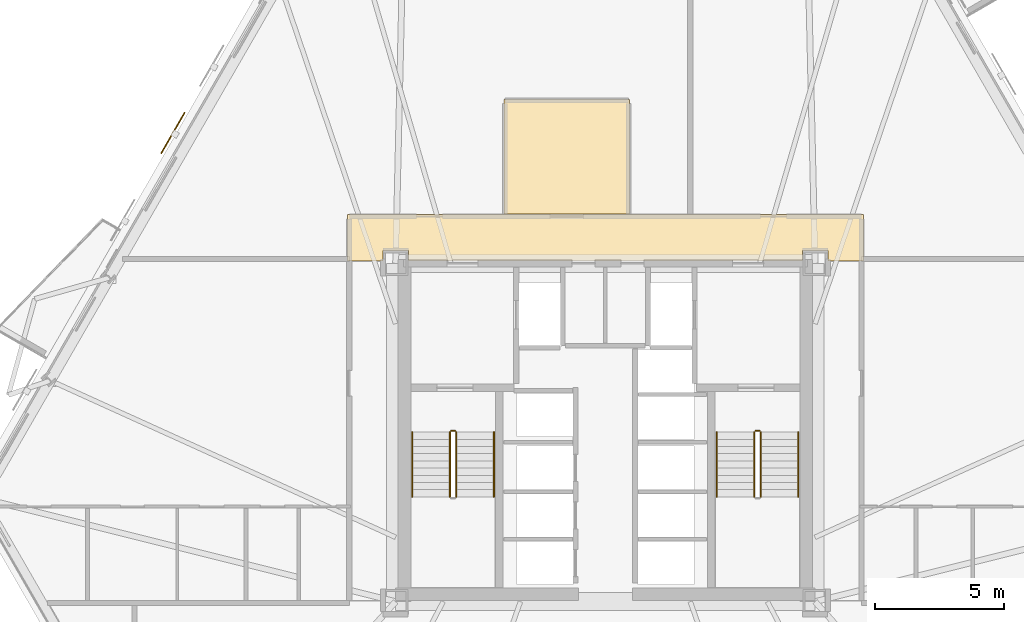
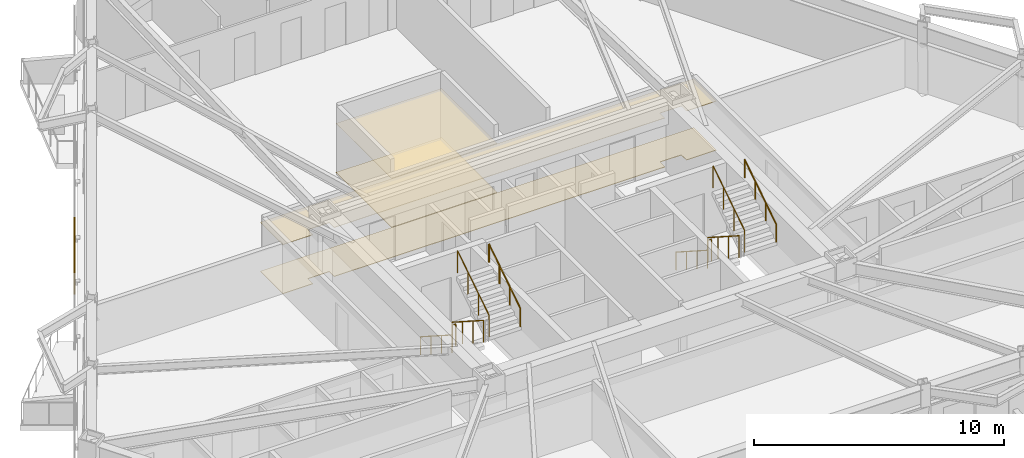
# One storey, part 11 of 12: 10 railings, 4 coverings, 1 shading device.
"""IFC4 building model written with IfcOpenShell, lengths in metres."""

from ifc_helpers import new_model, si_unit, direction, frame, origin, origin_2d, place, context, subcontext, project, spatial, polyline, rectangle, circle, outline, extrude, material, layer, layer_set, type_object, element, save


model = new_model("IFC4")

# Units and contexts
model_context = context("Model", 3, precision=1e-05, world=origin(), true_north=direction((0.0, 1.0)))
body_context = subcontext(model_context, "Body", "Model", "MODEL_VIEW")
ifc_project = project(units=[si_unit("LENGTHUNIT", "METRE"), si_unit("AREAUNIT", "SQUARE_METRE"), si_unit("VOLUMEUNIT", "CUBIC_METRE"), si_unit("PLANEANGLEUNIT", "RADIAN"), si_unit("MASSUNIT", "GRAM", prefix="KILO")], contexts=[model_context])

# Site, building, storey
site_placement = place(None, origin())
site = spatial("IfcSite", under=ifc_project, at=site_placement, CompositionType="ELEMENT")
building_placement = place(site_placement, origin())
building = spatial("IfcBuilding", under=site, at=building_placement, Name="Oramaril Tower", CompositionType="ELEMENT")
storey_placement = place(building_placement, frame((0.0, 0.0, 34.5)))
storey = spatial("IfcBuildingStorey", under=building, at=storey_placement, Name="L08", CompositionType="ELEMENT", Elevation=34.5)

# Coverings
ifc_material_1 = material(Name="Mineral Fibre Acoustic Ceiling")
ifc_layer_1 = layer(ifc_material_1, 0.02001953125)
ifc_layer_set_1 = layer_set([ifc_layer_1], Name="CVT-CEIL")
covering_type_1 = type_object("IfcCoveringType", Name="CVT-CEIL", PredefinedType="CEILING", material=ifc_layer_set_1)
covering_1_placement = place(storey_placement, frame((0.0, 0.0, 2.39990234375)))
element("IfcCovering", 1, at=covering_1_placement, inside=storey, type_object=covering_type_1, Name="L08 Acoustic Suspended Ceiling 2", PredefinedType="CEILING", context=body_context, shape_type="SweptSolid", body=[
    extrude(outline(polyline([(47.530029296875, 24.239990234375), (46.14501953125, 24.239990234375), (46.14501953125, 24.64501953125), (45.155029296875, 24.64501953125), (45.155029296875, 24.25), (29.844970703125, 24.25), (29.844970703125, 24.64501953125), (28.85498046875, 24.64501953125), (28.85498046875, 24.239990234375), (27.469970703125, 24.239990234375), (27.469970703125, 26.050048828125), (47.530029296875, 26.050048828125), (47.530029296875, 24.239990234375)])), origin(), (0.0, 0.0, 1.0), 0.02001953125),
])
covering_2_placement = place(storey_placement, frame((0.0, 0.0, 2.39990234375)))
element("IfcCovering", 2, at=covering_2_placement, inside=storey, type_object=covering_type_1, Name="L08 Acoustic Suspended Ceiling 5", PredefinedType="CEILING", context=body_context, shape_type="SweptSolid", body=[
    extrude(outline(polyline([(38.44189453125, 30.511962890625), (38.44189453125, 26.070068359375), (33.55810546875, 26.070068359375), (33.55810546875, 30.511962890625), (38.44189453125, 30.511962890625)])), origin(), (0.0, 0.0, 1.0), 0.02001953125),
])
ifc_material_2 = material(Name="Honed Quartzite Stone Flooring", Category="masonry")
ifc_layer_2 = layer(ifc_material_2, 0.02490234375)
ifc_layer_set_2 = layer_set([ifc_layer_2], Name="CVT-FLR")
covering_type_2 = type_object("IfcCoveringType", Name="CVT-FLR", PredefinedType="FLOORING", material=ifc_layer_set_2)
covering_3_placement = place(storey_placement, origin())
element("IfcCovering", 3, at=covering_3_placement, inside=storey, type_object=covering_type_2, Name="L08 Honed Stone Floor Finish 2", PredefinedType="FLOORING", context=body_context, shape_type="SweptSolid", body=[
    extrude(outline(polyline([(47.530029296875, 24.239990234375), (46.14501953125, 24.239990234375), (46.14501953125, 24.64501953125), (45.155029296875, 24.64501953125), (45.155029296875, 24.25), (29.844970703125, 24.25), (29.844970703125, 24.64501953125), (28.85498046875, 24.64501953125), (28.85498046875, 24.239990234375), (27.469970703125, 24.239990234375), (27.469970703125, 26.050048828125), (47.530029296875, 26.050048828125), (47.530029296875, 24.239990234375)])), origin(), (0.0, 0.0, 1.0), 0.02490234375),
])
covering_4_placement = place(storey_placement, origin())
element("IfcCovering", 4, at=covering_4_placement, inside=storey, type_object=covering_type_2, Name="L08 Honed Stone Floor Finish 5", PredefinedType="FLOORING", context=body_context, shape_type="SweptSolid", body=[
    extrude(outline(polyline([(38.44189453125, 30.511962890625), (38.44189453125, 26.070068359375), (33.55810546875, 26.070068359375), (33.55810546875, 30.511962890625), (38.44189453125, 30.511962890625)])), origin(), (0.0, 0.0, 1.0), 0.02490234375),
])

# Railings
ifc_material_3 = material(Name="Stainless Steel 316L", Category="steel")
railing_type_1 = type_object("IfcRailingType", Name="RLT-GRD", PredefinedType="GUARDRAIL", material=ifc_material_3)
railing_1_placement = place(storey_placement, frame((31.4599609375, 17.590087890625, 0.179931640625)))
element("IfcRailing", 5, at=railing_1_placement, inside=storey, type_object=railing_type_1, Name="L08 ST-1 stair guard 1", PredefinedType="GUARDRAIL", context=body_context, shape_type="SweptSolid", body=[
    extrude(circle(Radius=0.02392578125, at=origin_2d()), frame((0.0, 0.0, 1.076171875), z_axis=(0.0, -0.841162588446, 0.540782303519), x_axis=(1.0, 0.0, 0.0)), (0.0, 0.0, 1.0), 2.995849609375),
    extrude(circle(Radius=0.02099609375, at=origin_2d()), origin(), (0.0, 0.0, 1.0), 1.052001953125),
    extrude(circle(Radius=0.02099609375, at=origin_2d()), frame((0.0, -0.840087890625, 0.5400390625)), (0.0, 0.0, 1.0), 1.052001953125),
    extrude(circle(Radius=0.02099609375, at=origin_2d()), frame((0.0, -1.679931640625, 1.080078125)), (0.0, 0.0, 1.0), 1.052001953125),
    extrude(circle(Radius=0.02099609375, at=origin_2d()), frame((0.0, -2.52001953125, 1.6201171875)), (0.0, 0.0, 1.0), 1.052001953125),
])
railing_2_placement = place(storey_placement, frame((31.7099609375, 15.070068359375, 1.97998046875)))
element("IfcRailing", 6, at=railing_2_placement, inside=storey, type_object=railing_type_1, Name="L08 ST-1 stair guard 3", PredefinedType="GUARDRAIL", context=body_context, shape_type="SweptSolid", body=[
    extrude(circle(Radius=0.02392578125, at=origin_2d()), frame((0.0, 0.0, 1.076171875), z_axis=(0.0, 0.841162588446, 0.540782303519), x_axis=(-1.0, 0.0, 0.0)), (0.0, 0.0, 1.0), 2.995849609375),
    extrude(circle(Radius=0.02099609375, at=origin_2d()), origin(), (0.0, 0.0, 1.0), 1.052001953125),
    extrude(circle(Radius=0.02099609375, at=origin_2d()), frame((0.0, 0.840087890625, 0.5400390625)), (0.0, 0.0, 1.0), 1.052001953125),
    extrude(circle(Radius=0.02099609375, at=origin_2d()), frame((0.0, 1.679931640625, 1.080078125)), (0.0, 0.0, 1.0), 1.052001953125),
    extrude(circle(Radius=0.02099609375, at=origin_2d()), frame((0.0, 2.52001953125, 1.6201171875)), (0.0, 0.0, 1.0), 1.052001953125),
])
railing_3_placement = place(storey_placement, frame((31.510009765625, 17.639892578125, 0.0)))
element("IfcRailing", 7, at=railing_3_placement, inside=storey, type_object=railing_type_1, Name="L08 ST-1 stair guard 4", PredefinedType="GUARDRAIL", context=body_context, shape_type="SweptSolid", body=[
    extrude(circle(Radius=0.02392578125, at=origin_2d()), frame((0.0, 0.0, 1.076171875), z_axis=(1.0, 0.0, 0.0), x_axis=(0.0, 1.0, 0.0)), (0.0, 0.0, 1.0), 0.14990234375),
    extrude(circle(Radius=0.02099609375, at=origin_2d()), origin(), (0.0, 0.0, 1.0), 1.052001953125),
    extrude(circle(Radius=0.02099609375, at=origin_2d()), frame((0.14990234375, 0.0, 0.0)), (0.0, 0.0, 1.0), 1.052001953125),
])
railing_4_placement = place(storey_placement, frame((43.2900390625, 17.590087890625, 0.179931640625)))
element("IfcRailing", 8, at=railing_4_placement, inside=storey, type_object=railing_type_1, Name="L08 ST-2 stair guard 1", PredefinedType="GUARDRAIL", context=body_context, shape_type="SweptSolid", body=[
    extrude(circle(Radius=0.02392578125, at=origin_2d()), frame((0.0, 0.0, 1.076171875), z_axis=(0.0, -0.841162588446, 0.540782303519), x_axis=(1.0, 0.0, 0.0)), (0.0, 0.0, 1.0), 2.995849609375),
    extrude(circle(Radius=0.02099609375, at=origin_2d()), origin(), (0.0, 0.0, 1.0), 1.052001953125),
    extrude(circle(Radius=0.02099609375, at=origin_2d()), frame((0.0, -0.840087890625, 0.5400390625)), (0.0, 0.0, 1.0), 1.052001953125),
    extrude(circle(Radius=0.02099609375, at=origin_2d()), frame((0.0, -1.679931640625, 1.080078125)), (0.0, 0.0, 1.0), 1.052001953125),
    extrude(circle(Radius=0.02099609375, at=origin_2d()), frame((0.0, -2.52001953125, 1.6201171875)), (0.0, 0.0, 1.0), 1.052001953125),
])
railing_5_placement = place(storey_placement, frame((43.5400390625, 15.070068359375, 1.97998046875)))
element("IfcRailing", 9, at=railing_5_placement, inside=storey, type_object=railing_type_1, Name="L08 ST-2 stair guard 3", PredefinedType="GUARDRAIL", context=body_context, shape_type="SweptSolid", body=[
    extrude(circle(Radius=0.02392578125, at=origin_2d()), frame((0.0, 0.0, 1.076171875), z_axis=(0.0, 0.841162588446, 0.540782303519), x_axis=(-1.0, 0.0, 0.0)), (0.0, 0.0, 1.0), 2.995849609375),
    extrude(circle(Radius=0.02099609375, at=origin_2d()), origin(), (0.0, 0.0, 1.0), 1.052001953125),
    extrude(circle(Radius=0.02099609375, at=origin_2d()), frame((0.0, 0.840087890625, 0.5400390625)), (0.0, 0.0, 1.0), 1.052001953125),
    extrude(circle(Radius=0.02099609375, at=origin_2d()), frame((0.0, 1.679931640625, 1.080078125)), (0.0, 0.0, 1.0), 1.052001953125),
    extrude(circle(Radius=0.02099609375, at=origin_2d()), frame((0.0, 2.52001953125, 1.6201171875)), (0.0, 0.0, 1.0), 1.052001953125),
])
railing_6_placement = place(storey_placement, frame((43.340087890625, 17.639892578125, 0.0)))
element("IfcRailing", 10, at=railing_6_placement, inside=storey, type_object=railing_type_1, Name="L08 ST-2 stair guard 4", PredefinedType="GUARDRAIL", context=body_context, shape_type="SweptSolid", body=[
    extrude(circle(Radius=0.02392578125, at=origin_2d()), frame((0.0, 0.0, 1.076171875), z_axis=(1.0, 0.0, 0.0), x_axis=(0.0, 1.0, 0.0)), (0.0, 0.0, 1.0), 0.14990234375),
    extrude(circle(Radius=0.02099609375, at=origin_2d()), origin(), (0.0, 0.0, 1.0), 1.052001953125),
    extrude(circle(Radius=0.02099609375, at=origin_2d()), frame((0.14990234375, 0.0, 0.0)), (0.0, 0.0, 1.0), 1.052001953125),
])
ifc_material_4 = material(Name="Stainless Steel 316L", Category="steel")
railing_type_2 = type_object("IfcRailingType", Name="RLT-HND", PredefinedType="HANDRAIL", material=ifc_material_4)
railing_7_placement = place(storey_placement, frame((30.0, 17.590087890625, 0.179931640625)))
element("IfcRailing", 11, at=railing_7_placement, inside=storey, type_object=railing_type_2, Name="L08 ST-1 stair handrail 1", PredefinedType="HANDRAIL", context=body_context, shape_type="SweptSolid", body=[
    extrude(circle(Radius=0.02392578125, at=origin_2d()), frame((0.0, 0.0, 0.8759765625), z_axis=(0.0, -0.841162588446, 0.540782303519), x_axis=(1.0, 0.0, 0.0)), (0.0, 0.0, 1.0), 2.995849609375),
    extrude(circle(Radius=0.02099609375, at=origin_2d()), origin(), (0.0, 0.0, 1.0), 0.851806640625),
    extrude(circle(Radius=0.02099609375, at=origin_2d()), frame((0.0, -0.840087890625, 0.5400390625)), (0.0, 0.0, 1.0), 0.851806640625),
    extrude(circle(Radius=0.02099609375, at=origin_2d()), frame((0.0, -1.679931640625, 1.080078125)), (0.0, 0.0, 1.0), 0.851806640625),
    extrude(circle(Radius=0.02099609375, at=origin_2d()), frame((0.0, -2.52001953125, 1.6201171875)), (0.0, 0.0, 1.0), 0.851806640625),
])
railing_8_placement = place(storey_placement, frame((33.169921875, 15.070068359375, 1.97998046875)))
element("IfcRailing", 12, at=railing_8_placement, inside=storey, type_object=railing_type_2, Name="L08 ST-1 stair handrail 2", PredefinedType="HANDRAIL", context=body_context, shape_type="SweptSolid", body=[
    extrude(circle(Radius=0.02392578125, at=origin_2d()), frame((0.0, 0.0, 0.8759765625), z_axis=(0.0, 0.841162588446, 0.540782303519), x_axis=(-1.0, 0.0, 0.0)), (0.0, 0.0, 1.0), 2.995849609375),
    extrude(circle(Radius=0.02099609375, at=origin_2d()), origin(), (0.0, 0.0, 1.0), 0.851806640625),
    extrude(circle(Radius=0.02099609375, at=origin_2d()), frame((0.0, 0.840087890625, 0.5400390625)), (0.0, 0.0, 1.0), 0.851806640625),
    extrude(circle(Radius=0.02099609375, at=origin_2d()), frame((0.0, 1.679931640625, 1.080078125)), (0.0, 0.0, 1.0), 0.851806640625),
    extrude(circle(Radius=0.02099609375, at=origin_2d()), frame((0.0, 2.52001953125, 1.6201171875)), (0.0, 0.0, 1.0), 0.851806640625),
])
railing_9_placement = place(storey_placement, frame((41.830078125, 17.590087890625, 0.179931640625)))
element("IfcRailing", 13, at=railing_9_placement, inside=storey, type_object=railing_type_2, Name="L08 ST-2 stair handrail 1", PredefinedType="HANDRAIL", context=body_context, shape_type="SweptSolid", body=[
    extrude(circle(Radius=0.02392578125, at=origin_2d()), frame((0.0, 0.0, 0.8759765625), z_axis=(0.0, -0.841162588446, 0.540782303519), x_axis=(1.0, 0.0, 0.0)), (0.0, 0.0, 1.0), 2.995849609375),
    extrude(circle(Radius=0.02099609375, at=origin_2d()), origin(), (0.0, 0.0, 1.0), 0.851806640625),
    extrude(circle(Radius=0.02099609375, at=origin_2d()), frame((0.0, -0.840087890625, 0.5400390625)), (0.0, 0.0, 1.0), 0.851806640625),
    extrude(circle(Radius=0.02099609375, at=origin_2d()), frame((0.0, -1.679931640625, 1.080078125)), (0.0, 0.0, 1.0), 0.851806640625),
    extrude(circle(Radius=0.02099609375, at=origin_2d()), frame((0.0, -2.52001953125, 1.6201171875)), (0.0, 0.0, 1.0), 0.851806640625),
])
railing_10_placement = place(storey_placement, frame((45.0, 15.070068359375, 1.97998046875)))
element("IfcRailing", 14, at=railing_10_placement, inside=storey, type_object=railing_type_2, Name="L08 ST-2 stair handrail 2", PredefinedType="HANDRAIL", context=body_context, shape_type="SweptSolid", body=[
    extrude(circle(Radius=0.02392578125, at=origin_2d()), frame((0.0, 0.0, 0.8759765625), z_axis=(0.0, 0.841162588446, 0.540782303519), x_axis=(-1.0, 0.0, 0.0)), (0.0, 0.0, 1.0), 2.995849609375),
    extrude(circle(Radius=0.02099609375, at=origin_2d()), origin(), (0.0, 0.0, 1.0), 0.851806640625),
    extrude(circle(Radius=0.02099609375, at=origin_2d()), frame((0.0, 0.840087890625, 0.5400390625)), (0.0, 0.0, 1.0), 0.851806640625),
    extrude(circle(Radius=0.02099609375, at=origin_2d()), frame((0.0, 1.679931640625, 1.080078125)), (0.0, 0.0, 1.0), 0.851806640625),
    extrude(circle(Radius=0.02099609375, at=origin_2d()), frame((0.0, 2.52001953125, 1.6201171875)), (0.0, 0.0, 1.0), 0.851806640625),
])

# Shading device
shading_device_placement = place(storey_placement, frame((20.69482421875, 29.2119140625, -0.02001953125), z_axis=(0.0, 0.0, 1.0), x_axis=(-0.5, -0.866025403784, 0.0)))
element("IfcShadingDevice", 15, at=shading_device_placement, inside=storey, Name="L08 Perforated Ceramic Solar Screen", ObjectType="SCREEN", PredefinedType="USERDEFINED", context=body_context, shape_type="SweptSolid", body=[
    extrude(rectangle(XDim=1.8330078125, YDim=0.050048828125, at=origin_2d()), origin(), (0.0, 0.0, 1.0), 2.493896484375),
])

save(model, "model.ifc")
